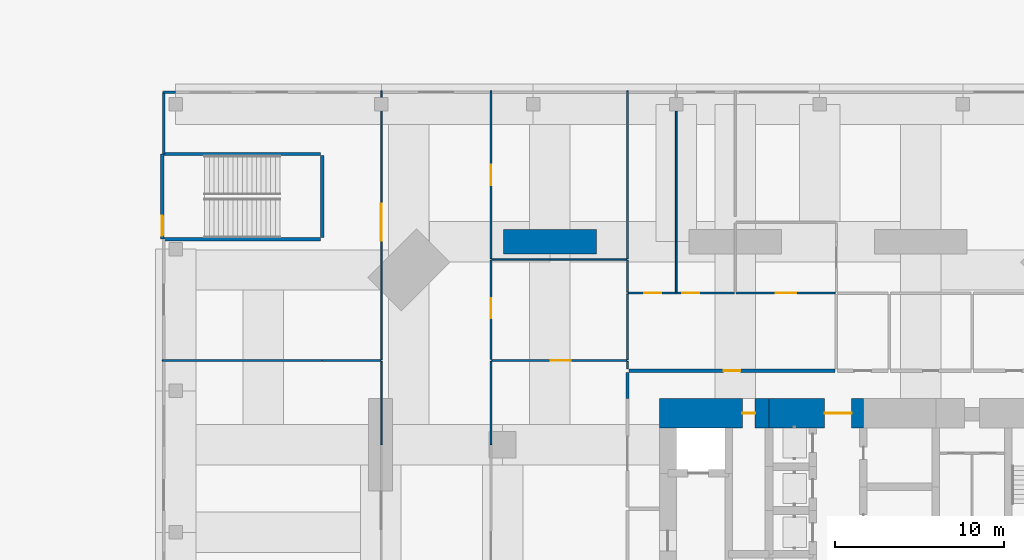
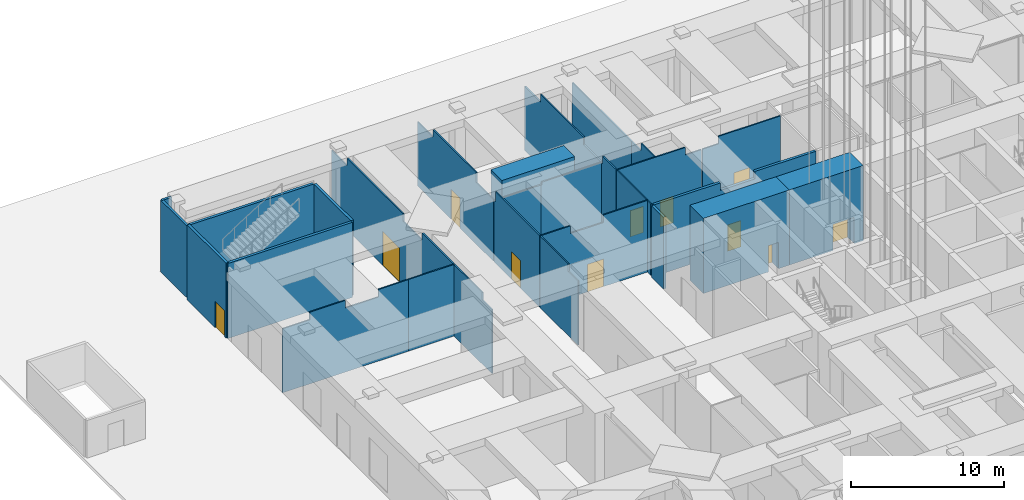
# One storey, part 7 of 17: 29 walls, 11 doors, 11 openings.
"""IFC4 building model written with IfcOpenShell, lengths in metres."""

from ifc_helpers import new_model, si_unit, direction, frame, frame_2d, origin, place, context, subcontext, project, spatial, polyline, rectangle, outline, extrude, material, layer, layer_set, constituent, constituent_set, type_object, element, fill, save


model = new_model("IFC4")

# Units and contexts
model_context = context("Model", 3, precision=1e-05, world=origin(), true_north=direction((0.0, 1.0)))
body_context = subcontext(model_context, "Body", "Model", "MODEL_VIEW")
ifc_project = project(units=[si_unit("LENGTHUNIT", "METRE"), si_unit("AREAUNIT", "SQUARE_METRE"), si_unit("VOLUMEUNIT", "CUBIC_METRE"), si_unit("PLANEANGLEUNIT", "RADIAN"), si_unit("MASSUNIT", "GRAM", prefix="KILO")], contexts=[model_context])

# Site, building, storey
site_placement = place(None, origin())
site = spatial("IfcSite", under=ifc_project, at=site_placement, CompositionType="ELEMENT")
building_placement = place(site_placement, origin())
building = spatial("IfcBuilding", under=site, at=building_placement, Name="Jalousie Tower", CompositionType="ELEMENT")
storey_placement = place(building_placement, origin())
storey = spatial("IfcBuildingStorey", under=building, at=storey_placement, Name="L00", CompositionType="ELEMENT", Elevation=0.0)

# Wall, opening, door
ifc_material_1 = material(Name="Concrete f'c 120 MPa", Category="concrete")
ifc_layer_1 = layer(ifc_material_1, 1.75)
ifc_layer_set_1 = layer_set([ifc_layer_1], Name="Concrete f'c 120 MPa")
wall_type_1 = type_object("IfcWallType", Name="CORE WALL 1750", PredefinedType="SHEAR", material=ifc_layer_set_1)
wall_1_placement = place(storey_placement, frame((31.60009765625, 26.875, 0.0), z_axis=(0.0, 0.0, 1.0), x_axis=(-1.0, 0.0, 0.0)))
wall_1 = element("IfcWall", 1, at=wall_1_placement, inside=storey, type_object=wall_type_1, Name="Core wall NC L00", PredefinedType="SHEAR", context=body_context, shape_type="SweptSolid", body=[
    extrude(rectangle(XDim=5.60009765625, YDim=1.75, at=frame_2d((2.800048828125, 0.0))), origin(), (0.0, 0.0, 1.0), 6.0),
])
opening_1_placement = place(wall_1_placement, frame((0.699951171875, 0.0, 0.0)))
opening_1 = element("IfcOpeningElement", 2, at=opening_1_placement, cuts=wall_1, Name="Opening D15", PredefinedType="OPENING", context=body_context, shape_type="SweptSolid", body=[
    extrude(rectangle(XDim=1.60009765625, YDim=2.10009765625, at=frame_2d((0.800048828125, 1.050048828125))), frame((0.0, 0.885009765625, 0.0), z_axis=(0.0, -1.0, 0.0), x_axis=(1.0, 0.0, 0.0)), (0.0, 0.0, 1.0), 1.77001953125),
])
ifc_material_2 = material(Name="Steel fire door", Category="steel")
door_type_1 = type_object("IfcDoorType", Name="LIFT LOBBY DOOR 1600", OperationType="DOUBLE_DOOR_SINGLE_SWING", PredefinedType="DOOR", material=ifc_material_2)
door_1_placement = place(opening_1_placement, origin())
door_1 = element("IfcDoor", 3, at=door_1_placement, inside=storey, type_object=door_type_1, Name="Lift lobby north door", OperationType="DOUBLE_DOOR_SINGLE_SWING", OverallHeight=2.10009765625, OverallWidth=1.60009765625, PredefinedType="DOOR", context=body_context, shape_type="SweptSolid", body=[
    extrude(rectangle(XDim=1.60009765625, YDim=2.10009765625, at=frame_2d((0.800048828125, 1.050048828125))), frame((0.0, 0.02490234375, 0.0), z_axis=(0.0, -1.0, 0.0), x_axis=(1.0, 0.0, 0.0)), (0.0, 0.0, 1.0), 0.050048828125),
])
fill(opening_1, door_1)

wall_2_placement = place(storey_placement, frame((26.0, 26.875, 0.0), z_axis=(0.0, 0.0, 1.0), x_axis=(-1.0, 0.0, 0.0)))
wall_2 = element("IfcWall", 4, at=wall_2_placement, inside=storey, type_object=wall_type_1, Name="Core wall ND L00", PredefinedType="SHEAR", context=body_context, shape_type="SweptSolid", body=[
    extrude(rectangle(XDim=6.5, YDim=1.75, at=frame_2d((3.25, 0.0))), origin(), (0.0, 0.0, 1.0), 6.0),
])
opening_2_placement = place(wall_2_placement, frame((0.824951171875, 0.0, 0.0)))
opening_2 = element("IfcOpeningElement", 5, at=opening_2_placement, cuts=wall_2, Name="Opening D16", PredefinedType="OPENING", context=body_context, shape_type="SweptSolid", body=[
    extrude(rectangle(XDim=0.75, YDim=2.10009765625, at=frame_2d((0.375, 1.050048828125))), frame((0.0, 0.885009765625, 0.0), z_axis=(0.0, -1.0, 0.0), x_axis=(1.0, 0.0, 0.0)), (0.0, 0.0, 1.0), 1.77001953125),
])
ifc_material_3 = material(Name="Steel fire door", Category="steel")
door_type_2 = type_object("IfcDoorType", Name="RISER DOOR 750", OperationType="SINGLE_SWING_LEFT", PredefinedType="DOOR", material=ifc_material_3)
door_2_placement = place(opening_2_placement, origin())
door_2 = element("IfcDoor", 6, at=door_2_placement, inside=storey, type_object=door_type_2, Name="North riser door", OperationType="SINGLE_SWING_RIGHT", OverallHeight=2.10009765625, OverallWidth=0.75, PredefinedType="DOOR", context=body_context, shape_type="SweptSolid", body=[
    extrude(rectangle(XDim=0.75, YDim=2.10009765625, at=frame_2d((0.375, 1.050048828125))), frame((0.0, 0.02490234375, 0.0), z_axis=(0.0, -1.0, 0.0), x_axis=(1.0, 0.0, 0.0)), (0.0, 0.0, 1.0), 0.050048828125),
])
fill(opening_2, door_2)

# Wall
ifc_material_4 = material(Name="Concrete block ASTM C90", Category="concrete")
ifc_constituent_1 = constituent(ifc_material_4, Name="Body")
ifc_material_5 = material(Name="Render")
ifc_constituent_2 = constituent(ifc_material_5, Name="Finish")
ifc_constituent_set_1 = constituent_set(constituents=[ifc_constituent_1, ifc_constituent_2])
wall_type_2 = type_object("IfcWallType", Name="CORRIDOR WALL 200", PredefinedType="PARTITIONING", material=ifc_constituent_set_1)
wall_3_placement = place(storey_placement, frame((17.60009765625, 27.75, 0.0), z_axis=(0.0, 0.0, 1.0), x_axis=(0.0, 1.0, 0.0)))
element("IfcWall", 7, at=wall_3_placement, inside=storey, type_object=wall_type_2, Name="Corridor Wall 200 L00", PredefinedType="PARTITIONING", context=body_context, shape_type="SweptSolid", body=[
    extrude(rectangle(XDim=1.550048828125, YDim=0.199951171875, at=frame_2d((0.77490234375, 0.0))), origin(), (0.0, 0.0, 1.0), 5.719970703125),
])

# Wall, opening, door
wall_4_placement = place(storey_placement, frame((17.699951171875, 29.39990234375, 0.0), z_axis=(0.0, 0.0, 1.0), x_axis=(1.0, 0.0, 0.0)))
wall_4 = element("IfcWall", 8, at=wall_4_placement, inside=storey, type_object=wall_type_2, Name="Corridor Wall 200 L00", PredefinedType="PARTITIONING", context=body_context, shape_type="SweptSolid", body=[
    extrude(outline(polyline([(0.0, 0.0), (12.22509765625, 0.0), (12.22509765625, 5.719970703125), (7.610107421875, 5.719970703125), (7.610107421875, 5.1201171875), (4.989990234375, 5.1201171875), (4.989990234375, 5.719970703125), (0.0, 5.719970703125), (0.0, 0.0)])), frame((0.0, 0.10009765625, 0.0), z_axis=(0.0, -1.0, 0.0), x_axis=(1.0, 0.0, 0.0)), (0.0, 0.0, 1.0), 0.199951171875),
])
opening_3_placement = place(wall_4_placement, frame((5.60009765625, 0.0, 0.0)))
opening_3 = element("IfcOpeningElement", 9, at=opening_3_placement, cuts=wall_4, Name="Opening D21", PredefinedType="OPENING", context=body_context, shape_type="SweptSolid", body=[
    extrude(rectangle(XDim=1.0, YDim=2.10009765625, at=frame_2d((0.5, 1.050048828125))), frame((0.0, 0.10986328125, 0.0), z_axis=(0.0, -1.0, 0.0), x_axis=(1.0, 0.0, 0.0)), (0.0, 0.0, 1.0), 0.219970703125),
])
ifc_material_6 = material(Name="Timber fire door", Category="wood")
door_type_3 = type_object("IfcDoorType", Name="CORRIDOR DOOR 1000", OperationType="SINGLE_SWING_LEFT", PredefinedType="DOOR", material=ifc_material_6)
door_3_placement = place(opening_3_placement, origin())
door_3 = element("IfcDoor", 10, at=door_3_placement, inside=storey, type_object=door_type_3, Name="Mail room door", OperationType="SINGLE_SWING_LEFT", OverallHeight=2.10009765625, OverallWidth=1.0, PredefinedType="DOOR", context=body_context, shape_type="SweptSolid", body=[
    extrude(rectangle(XDim=1.0, YDim=2.10009765625, at=frame_2d((0.5, 1.050048828125))), frame((0.0, 0.02490234375, 0.0), z_axis=(0.0, -1.0, 0.0), x_axis=(1.0, 0.0, 0.0)), (0.0, 0.0, 1.0), 0.050048828125),
])
fill(opening_3, door_3)

# Walls
ifc_material_7 = material(Name="Concrete f'c 40 MPa", Category="concrete")
ifc_constituent_3 = constituent(ifc_material_7, Name="Body")
ifc_material_8 = material(Name="Render, pastel coral")
ifc_constituent_4 = constituent(ifc_material_8, Name="Finish")
ifc_constituent_set_2 = constituent_set(constituents=[ifc_constituent_3, ifc_constituent_4])
wall_type_3 = type_object("IfcWallType", Name="EXTERNAL WALL 175 CORAL RENDER", PredefinedType="SOLIDWALL", material=ifc_constituent_set_2)
wall_5_placement = place(storey_placement, frame((-9.199951171875, 45.91259765625, 0.0), z_axis=(0.0, 0.0, 1.0), x_axis=(-1.0, 0.0, 0.0)))
element("IfcWall", 11, at=wall_5_placement, inside=storey, type_object=wall_type_3, Name="External Wall 175 Coral Render L00-C", PredefinedType="SOLIDWALL", context=body_context, shape_type="SweptSolid", body=[
    extrude(rectangle(XDim=0.712646484375, YDim=0.175048828125, at=frame_2d((0.3564453125, 0.0))), origin(), (0.0, 0.0, 1.0), 5.719970703125),
])
wall_6_placement = place(storey_placement, frame((-9.91259765625, 45.91259765625, 0.0), z_axis=(0.0, 0.0, 1.0), x_axis=(0.0, -1.0, 0.0)))
element("IfcWall", 12, at=wall_6_placement, inside=storey, type_object=wall_type_3, Name="External Wall 175 Coral Render L00", PredefinedType="SOLIDWALL", context=body_context, shape_type="SweptSolid", body=[
    extrude(rectangle(XDim=3.66259765625, YDim=0.175048828125, at=frame_2d((1.831298828125, 0.0))), origin(), (0.0, 0.0, 1.0), 5.719970703125),
])
ifc_material_9 = material(Name="Type X gypsum board", Category="gypsum")
ifc_constituent_5 = constituent(ifc_material_9, Name="Body")
ifc_material_10 = material(Name="Light-gauge steel studs ASTM A653 SS Grade 33", Category="steel")
ifc_constituent_6 = constituent(ifc_material_10, Name="Framing")
ifc_constituent_set_3 = constituent_set(constituents=[ifc_constituent_5, ifc_constituent_6])
wall_type_4 = type_object("IfcWallType", Name="FIRE PARTITION 100", PredefinedType="PARTITIONING", material=ifc_constituent_set_3)
wall_7_placement = place(storey_placement, frame((9.5, 25.0, 0.0), z_axis=(0.0, 0.0, 1.0), x_axis=(0.0, 1.0, 0.0)))
element("IfcWall", 13, at=wall_7_placement, inside=storey, type_object=wall_type_4, Name="Fire Partition 100 L00-C", PredefinedType="PARTITIONING", context=body_context, shape_type="SweptSolid", body=[
    extrude(outline(polyline([(0.0, 0.0), (4.949951171875, 0.0), (4.949951171875, 5.719970703125), (1.260009765625, 5.719970703125), (1.260009765625, 5.1201171875), (0.0, 5.1201171875), (0.0, 0.0)])), frame((0.0, 0.050048828125, 0.0), z_axis=(0.0, -1.0, 0.0), x_axis=(1.0, 0.0, 0.0)), (0.0, 0.0, 1.0), 0.10009765625),
])

# Wall, opening, door
wall_8_placement = place(storey_placement, frame((9.5, 30.050048828125, 0.0), z_axis=(0.0, 0.0, 1.0), x_axis=(0.0, 1.0, 0.0)))
wall_8 = element("IfcWall", 14, at=wall_8_placement, inside=storey, type_object=wall_type_4, Name="Fire Partition 100 L00", PredefinedType="PARTITIONING", context=body_context, shape_type="SweptSolid", body=[
    extrude(outline(polyline([(0.0, 0.0), (5.89990234375, 0.0), (5.89990234375, 5.719970703125), (5.89990234375, 4.919921875), (5.739990234375, 4.919921875), (5.739990234375, 5.719970703125), (0.0, 5.719970703125), (0.0, 0.0)])), frame((0.0, 0.050048828125, 0.0), z_axis=(0.0, -1.0, 0.0), x_axis=(1.0, 0.0, 0.0)), (0.0, 0.0, 1.0), 0.10009765625),
])
opening_4_placement = place(wall_8_placement, frame((2.449951171875, 0.0, 0.0)))
opening_4 = element("IfcOpeningElement", 15, at=opening_4_placement, cuts=wall_8, Name="Opening D11", PredefinedType="OPENING", context=body_context, shape_type="SweptSolid", body=[
    extrude(rectangle(XDim=1.199951171875, YDim=2.199951171875, at=frame_2d((0.60009765625, 1.10009765625))), frame((0.0, 0.06005859375, 0.0), z_axis=(0.0, -1.0, 0.0), x_axis=(1.0, 0.0, 0.0)), (0.0, 0.0, 1.0), 0.1201171875),
])
ifc_material_11 = material(Name="Steel fire door", Category="steel")
door_type_4 = type_object("IfcDoorType", Name="FIRE DOOR 1200", OperationType="SINGLE_SWING_LEFT", PredefinedType="DOOR", material=ifc_material_11)
door_4_placement = place(opening_4_placement, frame((1.199951171875, 0.0, 0.0), z_axis=(0.0, 0.0, 1.0), x_axis=(-1.0, 0.0, 0.0)))
door_4 = element("IfcDoor", 16, at=door_4_placement, inside=storey, type_object=door_type_4, Name="Fire command centre concourse door", OperationType="SINGLE_SWING_LEFT", OverallHeight=2.199951171875, OverallWidth=1.199951171875, PredefinedType="DOOR", context=body_context, shape_type="SweptSolid", body=[
    extrude(rectangle(XDim=1.199951171875, YDim=2.199951171875, at=frame_2d((0.60009765625, 1.10009765625))), frame((0.0, 0.02490234375, 0.0), z_axis=(0.0, -1.0, 0.0), x_axis=(1.0, 0.0, 0.0)), (0.0, 0.0, 1.0), 0.050048828125),
])
fill(opening_4, door_4)

wall_9_placement = place(storey_placement, frame((9.5, 36.050048828125, 0.0), z_axis=(0.0, 0.0, 1.0), x_axis=(0.0, 1.0, 0.0)))
wall_9 = element("IfcWall", 17, at=wall_9_placement, inside=storey, type_object=wall_type_4, Name="Fire Partition 100 L00", PredefinedType="PARTITIONING", context=body_context, shape_type="SweptSolid", body=[
    extrude(outline(polyline([(0.0, 0.0), (9.949951171875, 0.0), (9.949951171875, 5.719970703125), (9.949951171875, 5.1201171875), (7.889892578125, 5.1201171875), (7.889892578125, 5.719970703125), (2.260009765625, 5.719970703125), (2.260009765625, 4.919921875), (0.0, 4.919921875), (0.0, 5.719970703125), (0.0, 0.0)])), frame((0.0, 0.050048828125, 0.0), z_axis=(0.0, -1.0, 0.0), x_axis=(1.0, 0.0, 0.0)), (0.0, 0.0, 1.0), 0.10009765625),
])
opening_5_placement = place(wall_9_placement, frame((4.35009765625, 0.0, 0.0)))
opening_5 = element("IfcOpeningElement", 18, at=opening_5_placement, cuts=wall_9, Name="Opening D8", PredefinedType="OPENING", context=body_context, shape_type="SweptSolid", body=[
    extrude(rectangle(XDim=1.199951171875, YDim=2.39990234375, at=frame_2d((0.60009765625, 1.199951171875))), frame((0.0, 0.06005859375, 0.0), z_axis=(0.0, -1.0, 0.0), x_axis=(1.0, 0.0, 0.0)), (0.0, 0.0, 1.0), 0.1201171875),
])
ifc_material_12 = material(Name="Steel fire door", Category="steel")
door_type_5 = type_object("IfcDoorType", Name="SERVICE DOOR 1200", OperationType="SINGLE_SWING_LEFT", PredefinedType="DOOR", material=ifc_material_12)
door_5_placement = place(opening_5_placement, frame((1.199951171875, 0.0, 0.0), z_axis=(0.0, 0.0, 1.0), x_axis=(-1.0, 0.0, 0.0)))
door_5 = element("IfcDoor", 19, at=door_5_placement, inside=storey, type_object=door_type_5, Name="Bicycle store door", OperationType="SINGLE_SWING_RIGHT", OverallHeight=2.39990234375, OverallWidth=1.199951171875, PredefinedType="DOOR", context=body_context, shape_type="SweptSolid", body=[
    extrude(rectangle(XDim=1.199951171875, YDim=2.39990234375, at=frame_2d((0.60009765625, 1.199951171875))), frame((0.0, 0.02490234375, 0.0), z_axis=(0.0, -1.0, 0.0), x_axis=(1.0, 0.0, 0.0)), (0.0, 0.0, 1.0), 0.050048828125),
])
fill(opening_5, door_5)

wall_10_placement = place(storey_placement, frame((9.550048828125, 30.0, 0.0), z_axis=(0.0, 0.0, 1.0), x_axis=(1.0, 0.0, 0.0)))
wall_10 = element("IfcWall", 20, at=wall_10_placement, inside=storey, type_object=wall_type_4, Name="Fire Partition 100 L00", PredefinedType="PARTITIONING", context=body_context, shape_type="SweptSolid", body=[
    extrude(outline(polyline([(0.0, 0.0), (8.0, 0.0), (8.0, 5.719970703125), (4.7099609375, 5.719970703125), (4.7099609375, 5.1201171875), (2.18994140625, 5.1201171875), (2.18994140625, 5.719970703125), (0.0, 5.719970703125), (0.0, 0.0)])), frame((0.0, 0.050048828125, 0.0), z_axis=(0.0, -1.0, 0.0), x_axis=(1.0, 0.0, 0.0)), (0.0, 0.0, 1.0), 0.10009765625),
])
opening_6_placement = place(wall_10_placement, frame((3.5, 0.0, 0.0)))
opening_6 = element("IfcOpeningElement", 21, at=opening_6_placement, cuts=wall_10, Name="Opening D11", PredefinedType="OPENING", context=body_context, shape_type="SweptSolid", body=[
    extrude(rectangle(XDim=1.199951171875, YDim=2.199951171875, at=frame_2d((0.60009765625, 1.10009765625))), frame((0.0, 0.06005859375, 0.0), z_axis=(0.0, -1.0, 0.0), x_axis=(1.0, 0.0, 0.0)), (0.0, 0.0, 1.0), 0.1201171875),
])
door_6_placement = place(opening_6_placement, origin())
door_6 = element("IfcDoor", 22, at=door_6_placement, inside=storey, type_object=door_type_4, Name="Fire command centre door", OperationType="SINGLE_SWING_RIGHT", OverallHeight=2.199951171875, OverallWidth=1.199951171875, PredefinedType="DOOR", context=body_context, shape_type="SweptSolid", body=[
    extrude(rectangle(XDim=1.199951171875, YDim=2.199951171875, at=frame_2d((0.60009765625, 1.10009765625))), frame((0.0, 0.02490234375, 0.0), z_axis=(0.0, -1.0, 0.0), x_axis=(1.0, 0.0, 0.0)), (0.0, 0.0, 1.0), 0.050048828125),
])
fill(opening_6, door_6)

wall_11_placement = place(storey_placement, frame((24.050048828125, 34.0, 0.0), z_axis=(0.0, 0.0, 1.0), x_axis=(1.0, 0.0, 0.0)))
wall_11 = element("IfcWall", 23, at=wall_11_placement, inside=storey, type_object=wall_type_4, Name="Fire Partition 100 L00", PredefinedType="PARTITIONING", context=body_context, shape_type="SweptSolid", body=[
    extrude(outline(polyline([(0.0, 0.0), (5.875, 0.0), (5.875, 5.719970703125), (1.2099609375, 5.719970703125), (1.2099609375, 5.1201171875), (0.0, 5.1201171875), (0.0, 5.719970703125), (0.0, 0.0)])), frame((0.0, 0.050048828125, 0.0), z_axis=(0.0, -1.0, 0.0), x_axis=(1.0, 0.0, 0.0)), (0.0, 0.0, 1.0), 0.10009765625),
])
opening_7_placement = place(wall_11_placement, frame((2.35009765625, 0.0, 0.0)))
opening_7 = element("IfcOpeningElement", 24, at=opening_7_placement, cuts=wall_11, Name="Opening D8", PredefinedType="OPENING", context=body_context, shape_type="SweptSolid", body=[
    extrude(rectangle(XDim=1.199951171875, YDim=2.39990234375, at=frame_2d((0.60009765625, 1.199951171875))), frame((0.0, 0.06005859375, 0.0), z_axis=(0.0, -1.0, 0.0), x_axis=(1.0, 0.0, 0.0)), (0.0, 0.0, 1.0), 0.1201171875),
])
door_7_placement = place(opening_7_placement, frame((1.199951171875, 0.0, 0.0), z_axis=(0.0, 0.0, 1.0), x_axis=(-1.0, 0.0, 0.0)))
door_7 = element("IfcDoor", 25, at=door_7_placement, inside=storey, type_object=door_type_5, Name="Refuse store door", OperationType="SINGLE_SWING_LEFT", OverallHeight=2.39990234375, OverallWidth=1.199951171875, PredefinedType="DOOR", context=body_context, shape_type="SweptSolid", body=[
    extrude(rectangle(XDim=1.199951171875, YDim=2.39990234375, at=frame_2d((0.60009765625, 1.199951171875))), frame((0.0, 0.02490234375, 0.0), z_axis=(0.0, -1.0, 0.0), x_axis=(1.0, 0.0, 0.0)), (0.0, 0.0, 1.0), 0.050048828125),
])
fill(opening_7, door_7)

# Wall
ifc_material_13 = material(Name="Gypsum board", Category="gypsum")
ifc_constituent_7 = constituent(ifc_material_13, Name="Body")
ifc_material_14 = material(Name="Light-gauge steel studs ASTM A653 SS Grade 33", Category="steel")
ifc_constituent_8 = constituent(ifc_material_14, Name="Framing")
ifc_constituent_set_4 = constituent_set(constituents=[ifc_constituent_7, ifc_constituent_8])
wall_type_5 = type_object("IfcWallType", Name="PARTITION 100", PredefinedType="PARTITIONING", material=ifc_constituent_set_4)
wall_12_placement = place(storey_placement, frame((3.0, 25.0, 0.0), z_axis=(0.0, 0.0, 1.0), x_axis=(0.0, 1.0, 0.0)))
element("IfcWall", 26, at=wall_12_placement, inside=storey, type_object=wall_type_5, Name="Partition 100 L00-B", PredefinedType="PARTITIONING", context=body_context, shape_type="SweptSolid", body=[
    extrude(outline(polyline([(0.0, 0.0), (4.949951171875, 0.0), (4.949951171875, 5.719970703125), (1.260009765625, 5.719970703125), (1.260009765625, 5.1201171875), (0.0, 5.1201171875), (0.0, 0.0)])), frame((0.0, 0.050048828125, 0.0), z_axis=(0.0, -1.0, 0.0), x_axis=(1.0, 0.0, 0.0)), (0.0, 0.0, 1.0), 0.10009765625),
])

# Wall, opening, door
wall_13_placement = place(storey_placement, frame((3.0, 30.050048828125, 0.0), z_axis=(0.0, 0.0, 1.0), x_axis=(0.0, 1.0, 0.0)))
wall_13 = element("IfcWall", 27, at=wall_13_placement, inside=storey, type_object=wall_type_5, Name="Partition 100 L00", PredefinedType="PARTITIONING", context=body_context, shape_type="SweptSolid", body=[
    extrude(outline(polyline([(0.0, 0.0), (15.949951171875, 0.0), (15.949951171875, 5.719970703125), (15.949951171875, 5.1201171875), (13.889892578125, 5.1201171875), (13.889892578125, 5.719970703125), (6.57861328125, 5.719970703125), (6.57861328125, 5.1201171875), (4.05859375, 5.1201171875), (4.05859375, 5.719970703125), (0.0, 5.719970703125), (0.0, 0.0)])), frame((0.0, 0.050048828125, 0.0), z_axis=(0.0, -1.0, 0.0), x_axis=(1.0, 0.0, 0.0)), (0.0, 0.0, 1.0), 0.10009765625),
])
opening_8_placement = place(wall_13_placement, frame((7.050048828125, 0.0, 0.0)))
opening_8 = element("IfcOpeningElement", 28, at=opening_8_placement, cuts=wall_13, Name="Opening D14", PredefinedType="OPENING", context=body_context, shape_type="SweptSolid", body=[
    extrude(rectangle(XDim=2.199951171875, YDim=2.699951171875, at=frame_2d((1.10009765625, 1.35009765625))), frame((0.0, 0.06005859375, 0.0), z_axis=(0.0, -1.0, 0.0), x_axis=(1.0, 0.0, 0.0)), (0.0, 0.0, 1.0), 0.1201171875),
])
ifc_material_15 = material(Name="Glazed aluminium door", Category="aluminium")
door_type_6 = type_object("IfcDoorType", Name="SHOPFRONT DOOR 2200", OperationType="DOUBLE_DOOR_SINGLE_SWING", PredefinedType="DOOR", material=ifc_material_15)
door_8_placement = place(opening_8_placement, origin())
door_8 = element("IfcDoor", 29, at=door_8_placement, inside=storey, type_object=door_type_6, Name="Retail unit 3 door", OperationType="DOUBLE_DOOR_SINGLE_SWING", OverallHeight=2.699951171875, OverallWidth=2.199951171875, PredefinedType="DOOR", context=body_context, shape_type="SweptSolid", body=[
    extrude(rectangle(XDim=2.199951171875, YDim=2.699951171875, at=frame_2d((1.10009765625, 1.35009765625))), frame((0.0, 0.02490234375, 0.0), z_axis=(0.0, -1.0, 0.0), x_axis=(1.0, 0.0, 0.0)), (0.0, 0.0, 1.0), 0.050048828125),
])
fill(opening_8, door_8)

# Walls
wall_14_placement = place(storey_placement, frame((-0.5, 30.0, 0.0), z_axis=(0.0, 0.0, 1.0), x_axis=(1.0, 0.0, 0.0)))
element("IfcWall", 30, at=wall_14_placement, inside=storey, type_object=wall_type_5, Name="Partition 100 L00", PredefinedType="PARTITIONING", context=body_context, shape_type="SweptSolid", body=[
    extrude(rectangle(XDim=3.449951171875, YDim=0.10009765625, at=frame_2d((1.72509765625, 0.0))), origin(), (0.0, 0.0, 1.0), 5.719970703125),
])
wall_15_placement = place(storey_placement, frame((-10.0, 30.0, 0.0), z_axis=(0.0, 0.0, 1.0), x_axis=(1.0, 0.0, 0.0)))
element("IfcWall", 31, at=wall_15_placement, inside=storey, type_object=wall_type_5, Name="Partition 100 L00", PredefinedType="PARTITIONING", context=body_context, shape_type="SweptSolid", body=[
    extrude(outline(polyline([(0.0, 0.0), (9.5, 0.0), (9.5, 5.719970703125), (7.260009765625, 5.719970703125), (7.260009765625, 5.1201171875), (4.739990234375, 5.1201171875), (4.739990234375, 5.719970703125), (2.06005859375, 5.719970703125), (2.06005859375, 5.1201171875), (0.0, 5.1201171875), (0.0, 5.719970703125), (0.0, 0.0)])), frame((0.0, 0.050048828125, 0.0), z_axis=(0.0, -1.0, 0.0), x_axis=(1.0, 0.0, 0.0)), (0.0, 0.0, 1.0), 0.10009765625),
])
wall_16_placement = place(storey_placement, frame((17.60009765625, 29.5, 0.0), z_axis=(0.0, 0.0, 1.0), x_axis=(0.0, 1.0, 0.0)))
element("IfcWall", 32, at=wall_16_placement, inside=storey, type_object=wall_type_5, Name="Partition 100 L00", PredefinedType="PARTITIONING", context=body_context, shape_type="SweptSolid", body=[
    extrude(rectangle(XDim=0.449951171875, YDim=0.10009765625, at=frame_2d((0.22509765625, 0.0))), origin(), (0.0, 0.0, 1.0), 5.719970703125),
])
wall_17_placement = place(storey_placement, frame((9.550048828125, 36.0, 0.0), z_axis=(0.0, 0.0, 1.0), x_axis=(1.0, 0.0, 0.0)))
element("IfcWall", 33, at=wall_17_placement, inside=storey, type_object=wall_type_5, Name="Partition 100 L00-A", PredefinedType="PARTITIONING", context=body_context, shape_type="SweptSolid", body=[
    extrude(rectangle(XDim=3.449951171875, YDim=0.10009765625, at=frame_2d((1.72509765625, 0.0))), origin(), (0.0, 0.0, 1.0), 4.919921875),
])
wall_18_placement = place(storey_placement, frame((13.0, 36.0, 0.0), z_axis=(0.0, 0.0, 1.0), x_axis=(1.0, 0.0, 0.0)))
element("IfcWall", 34, at=wall_18_placement, inside=storey, type_object=wall_type_5, Name="Partition 100 L00-B", PredefinedType="PARTITIONING", context=body_context, shape_type="SweptSolid", body=[
    extrude(outline(polyline([(0.0, 0.0), (4.550048828125, 0.0), (4.550048828125, 5.1201171875), (0.06005859375, 5.1201171875), (0.06005859375, 4.919921875), (0.0, 4.919921875), (0.0, 0.0)])), frame((0.0, 0.050048828125, 0.0), z_axis=(0.0, -1.0, 0.0), x_axis=(1.0, 0.0, 0.0)), (0.0, 0.0, 1.0), 0.10009765625),
])
wall_19_placement = place(storey_placement, frame((17.60009765625, 30.050048828125, 0.0), z_axis=(0.0, 0.0, 1.0), x_axis=(0.0, 1.0, 0.0)))
element("IfcWall", 35, at=wall_19_placement, inside=storey, type_object=wall_type_5, Name="Partition 100 L00", PredefinedType="PARTITIONING", context=body_context, shape_type="SweptSolid", body=[
    extrude(rectangle(XDim=3.89990234375, YDim=0.10009765625, at=frame_2d((1.949951171875, 0.0))), origin(), (0.0, 0.0, 1.0), 5.719970703125),
])
wall_20_placement = place(storey_placement, frame((17.60009765625, 34.050048828125, 0.0), z_axis=(0.0, 0.0, 1.0), x_axis=(0.0, 1.0, 0.0)))
element("IfcWall", 36, at=wall_20_placement, inside=storey, type_object=wall_type_5, Name="Partition 100 L00", PredefinedType="PARTITIONING", context=body_context, shape_type="SweptSolid", body=[
    extrude(outline(polyline([(0.0, 0.0), (1.89990234375, 0.0), (1.89990234375, 5.719970703125), (1.89990234375, 5.1201171875), (1.739990234375, 5.1201171875), (1.739990234375, 5.719970703125), (0.0, 5.719970703125), (0.0, 0.0)])), frame((0.0, 0.050048828125, 0.0), z_axis=(0.0, -1.0, 0.0), x_axis=(1.0, 0.0, 0.0)), (0.0, 0.0, 1.0), 0.10009765625),
])
wall_21_placement = place(storey_placement, frame((17.60009765625, 36.050048828125, 0.0), z_axis=(0.0, 0.0, 1.0), x_axis=(0.0, 1.0, 0.0)))
element("IfcWall", 37, at=wall_21_placement, inside=storey, type_object=wall_type_5, Name="Partition 100 L00", PredefinedType="PARTITIONING", context=body_context, shape_type="SweptSolid", body=[
    extrude(outline(polyline([(0.0, 0.0), (9.949951171875, 0.0), (9.949951171875, 5.719970703125), (9.949951171875, 5.1201171875), (7.889892578125, 5.1201171875), (7.889892578125, 5.719970703125), (2.260009765625, 5.719970703125), (2.260009765625, 5.1201171875), (0.0, 5.1201171875), (0.0, 5.719970703125), (0.0, 0.0)])), frame((0.0, 0.050048828125, 0.0), z_axis=(0.0, -1.0, 0.0), x_axis=(1.0, 0.0, 0.0)), (0.0, 0.0, 1.0), 0.10009765625),
])

# Wall, openings, doors
wall_22_placement = place(storey_placement, frame((17.64990234375, 34.0, 0.0), z_axis=(0.0, 0.0, 1.0), x_axis=(1.0, 0.0, 0.0)))
wall_22 = element("IfcWall", 38, at=wall_22_placement, inside=storey, type_object=wall_type_5, Name="Partition 100 L00", PredefinedType="PARTITIONING", context=body_context, shape_type="SweptSolid", body=[
    extrude(outline(polyline([(0.0, 0.0), (6.300048828125, 0.0), (6.300048828125, 5.719970703125), (6.300048828125, 5.1201171875), (5.090087890625, 5.1201171875), (5.090087890625, 5.719970703125), (0.0, 5.719970703125), (0.0, 0.0)])), frame((0.0, 0.050048828125, 0.0), z_axis=(0.0, -1.0, 0.0), x_axis=(1.0, 0.0, 0.0)), (0.0, 0.0, 1.0), 0.10009765625),
])
opening_9_placement = place(wall_22_placement, frame((3.199951171875, 0.0, 0.0)))
opening_9 = element("IfcOpeningElement", 39, at=opening_9_placement, cuts=wall_22, Name="Opening D6", PredefinedType="OPENING", context=body_context, shape_type="SweptSolid", body=[
    extrude(rectangle(XDim=1.0, YDim=2.10009765625, at=frame_2d((0.5, 1.050048828125))), frame((0.0, 0.06005859375, 0.0), z_axis=(0.0, -1.0, 0.0), x_axis=(1.0, 0.0, 0.0)), (0.0, 0.0, 1.0), 0.1201171875),
])
opening_10_placement = place(wall_22_placement, frame((0.945556640625, 0.0, 0.0)))
opening_10 = element("IfcOpeningElement", 40, at=opening_10_placement, cuts=wall_22, Name="Opening D6", PredefinedType="OPENING", context=body_context, shape_type="SweptSolid", body=[
    extrude(rectangle(XDim=1.0, YDim=2.10009765625, at=frame_2d((0.5, 1.050048828125))), frame((0.0, 0.06005859375, 0.0), z_axis=(0.0, -1.0, 0.0), x_axis=(1.0, 0.0, 0.0)), (0.0, 0.0, 1.0), 0.1201171875),
])
ifc_material_16 = material(Name="Timber door", Category="wood")
door_type_7 = type_object("IfcDoorType", Name="INTERNAL DOOR 1000", OperationType="SINGLE_SWING_LEFT", PredefinedType="DOOR", material=ifc_material_16)
door_9_placement = place(opening_9_placement, origin())
door_9 = element("IfcDoor", 41, at=door_9_placement, inside=storey, type_object=door_type_7, Name="Management office door", OperationType="SINGLE_SWING_LEFT", OverallHeight=2.10009765625, OverallWidth=1.0, PredefinedType="DOOR", context=body_context, shape_type="SweptSolid", body=[
    extrude(rectangle(XDim=1.0, YDim=2.10009765625, at=frame_2d((0.5, 1.050048828125))), frame((0.0, 0.02490234375, 0.0), z_axis=(0.0, -1.0, 0.0), x_axis=(1.0, 0.0, 0.0)), (0.0, 0.0, 1.0), 0.050048828125),
])
fill(opening_9, door_9)
door_10_placement = place(opening_10_placement, frame((1.0, 0.0, 0.0), z_axis=(0.0, 0.0, 1.0), x_axis=(-1.0, 0.0, 0.0)))
door_10 = element("IfcDoor", 42, at=door_10_placement, inside=storey, type_object=door_type_7, Name="Management meeting room door", OperationType="SINGLE_SWING_RIGHT", OverallHeight=2.10009765625, OverallWidth=1.0, PredefinedType="DOOR", context=body_context, shape_type="SweptSolid", body=[
    extrude(rectangle(XDim=1.0, YDim=2.10009765625, at=frame_2d((0.5, 1.050048828125))), frame((0.0, 0.02490234375, 0.0), z_axis=(0.0, -1.0, 0.0), x_axis=(1.0, 0.0, 0.0)), (0.0, 0.0, 1.0), 0.050048828125),
])
fill(opening_10, door_10)

# Walls
wall_23_placement = place(storey_placement, frame((20.5, 34.0400390625, 0.0), z_axis=(0.0, 0.0, 1.0), x_axis=(0.0, 1.0, 0.0)))
element("IfcWall", 43, at=wall_23_placement, inside=storey, type_object=wall_type_5, Name="Partition 100 L00-A", PredefinedType="PARTITIONING", context=body_context, shape_type="SweptSolid", body=[
    extrude(outline(polyline([(0.0, 0.0), (3.010009765625, 0.0), (3.010009765625, 5.1201171875), (1.75, 5.1201171875), (1.75, 5.719970703125), (0.0, 5.719970703125), (0.0, 0.0)])), frame((0.0, 0.050048828125, 0.0), z_axis=(0.0, -1.0, 0.0), x_axis=(1.0, 0.0, 0.0)), (0.0, 0.0, 1.0), 0.10009765625),
])
wall_24_placement = place(storey_placement, frame((20.5, 37.050048828125, 0.0), z_axis=(0.0, 0.0, 1.0), x_axis=(0.0, 1.0, 0.0)))
element("IfcWall", 44, at=wall_24_placement, inside=storey, type_object=wall_type_5, Name="Partition 100 L00-B", PredefinedType="PARTITIONING", context=body_context, shape_type="SweptSolid", body=[
    extrude(rectangle(XDim=7.75, YDim=0.10009765625, at=frame_2d((3.875, 0.0))), origin(), (0.0, 0.0, 1.0), 5.1201171875),
])
ifc_material_17 = material(Name="Concrete f'c 120 MPa", Category="concrete")
ifc_layer_2 = layer(ifc_material_17, 1.449951171875)
ifc_layer_set_2 = layer_set([ifc_layer_2], Name="Concrete f'c 120 MPa")
wall_type_6 = type_object("IfcWallType", Name="RC WALL PIER 1450", PredefinedType="SHEAR", material=ifc_layer_set_2)
wall_25_placement = place(storey_placement, frame((10.25, 37.050048828125, 0.0), z_axis=(0.0, 0.0, 1.0), x_axis=(1.0, 0.0, 0.0)))
element("IfcWall", 45, at=wall_25_placement, inside=storey, type_object=wall_type_6, Name="Wall pier 11 L00", PredefinedType="SHEAR", context=body_context, shape_type="SweptSolid", body=[
    extrude(rectangle(XDim=5.5, YDim=1.449951171875, at=frame_2d((2.75, 0.0))), origin(), (0.0, 0.0, 1.0), 6.0),
])

# Wall, opening, door
ifc_material_18 = material(Name="Concrete block ASTM C90", Category="concrete")
ifc_constituent_9 = constituent(ifc_material_18, Name="Body")
ifc_material_19 = material(Name="Render")
ifc_constituent_10 = constituent(ifc_material_19, Name="Finish")
ifc_constituent_set_5 = constituent_set(constituents=[ifc_constituent_9, ifc_constituent_10])
wall_type_7 = type_object("IfcWallType", Name="STAIR WALL 200", PredefinedType="SOLIDWALL", material=ifc_constituent_set_5)
wall_26_placement = place(storey_placement, frame((-10.0, 42.25, 0.0), z_axis=(0.0, 0.0, 1.0), x_axis=(0.0, -1.0, 0.0)))
wall_26 = element("IfcWall", 46, at=wall_26_placement, inside=storey, type_object=wall_type_7, Name="Stair Wall 200 L00", PredefinedType="SOLIDWALL", context=body_context, shape_type="SweptSolid", body=[
    extrude(rectangle(XDim=5.050048828125, YDim=0.199951171875, at=frame_2d((2.52490234375, 0.0))), origin(), (0.0, 0.0, 1.0), 6.0),
])
opening_11_placement = place(wall_26_placement, frame((3.64990234375, 0.0, 0.0)))
opening_11 = element("IfcOpeningElement", 47, at=opening_11_placement, cuts=wall_26, Name="Opening D-EXS", PredefinedType="OPENING", context=body_context, shape_type="SweptSolid", body=[
    extrude(rectangle(XDim=1.199951171875, YDim=2.10009765625, at=frame_2d((0.60009765625, 1.050048828125))), frame((0.0, 0.10986328125, 0.0), z_axis=(0.0, -1.0, 0.0), x_axis=(1.0, 0.0, 0.0)), (0.0, 0.0, 1.0), 0.219970703125),
])
ifc_material_20 = material(Name="Steel door, 90 minute", Category="steel")
door_type_8 = type_object("IfcDoorType", Name="STAIR STREET DOOR 1200x2100", OperationType="SINGLE_SWING_LEFT", PredefinedType="DOOR", material=ifc_material_20)
door_11_placement = place(opening_11_placement, frame((1.199951171875, 0.0, 0.0), z_axis=(0.0, 0.0, 1.0), x_axis=(-1.0, 0.0, 0.0)))
door_11 = element("IfcDoor", 48, at=door_11_placement, inside=storey, type_object=door_type_8, Name="Exit stair PS1 street door", OperationType="SINGLE_SWING_LEFT", OverallHeight=2.10009765625, OverallWidth=1.199951171875, PredefinedType="DOOR", context=body_context, shape_type="SweptSolid", body=[
    extrude(rectangle(XDim=1.199951171875, YDim=2.10009765625, at=frame_2d((0.60009765625, 1.050048828125))), frame((0.0, 0.02490234375, 0.0), z_axis=(0.0, -1.0, 0.0), x_axis=(1.0, 0.0, 0.0)), (0.0, 0.0, 1.0), 0.050048828125),
])
fill(opening_11, door_11)

# Walls
wall_27_placement = place(storey_placement, frame((-0.5, 37.300048828125, 0.0), z_axis=(0.0, 0.0, 1.0), x_axis=(0.0, 1.0, 0.0)))
element("IfcWall", 49, at=wall_27_placement, inside=storey, type_object=wall_type_7, Name="Stair Wall 200 L00", PredefinedType="SOLIDWALL", context=body_context, shape_type="SweptSolid", body=[
    extrude(rectangle(XDim=4.849853515625, YDim=0.199951171875, at=frame_2d((2.4248046875, 0.0))), origin(), (0.0, 0.0, 1.0), 6.0),
])
for number, where, z_axis, x_axis, name in (
    (50, (-10.0, 37.199951171875, 0.0), (0.0, 0.0, 1.0), (1.0, 0.0, 0.0), "Stair Wall 200 L00"),
    (51, (-10.0, 42.25, 0.0), (0.0, 0.0, 1.0), (1.0, 0.0, 0.0), "Stair Wall 200 L00"),
):
    element("IfcWall", number, at=place(storey_placement, frame(where, z_axis=z_axis, x_axis=x_axis)), inside=storey, type_object=wall_type_7, Name=name, PredefinedType="SOLIDWALL", context=body_context, shape_type="SweptSolid", body=[
        extrude(rectangle(XDim=9.39990234375, YDim=0.199951171875, at=frame_2d((4.699951171875, 0.0))), origin(), (0.0, 0.0, 1.0), 6.0),
    ])

save(model, "model.ifc")
